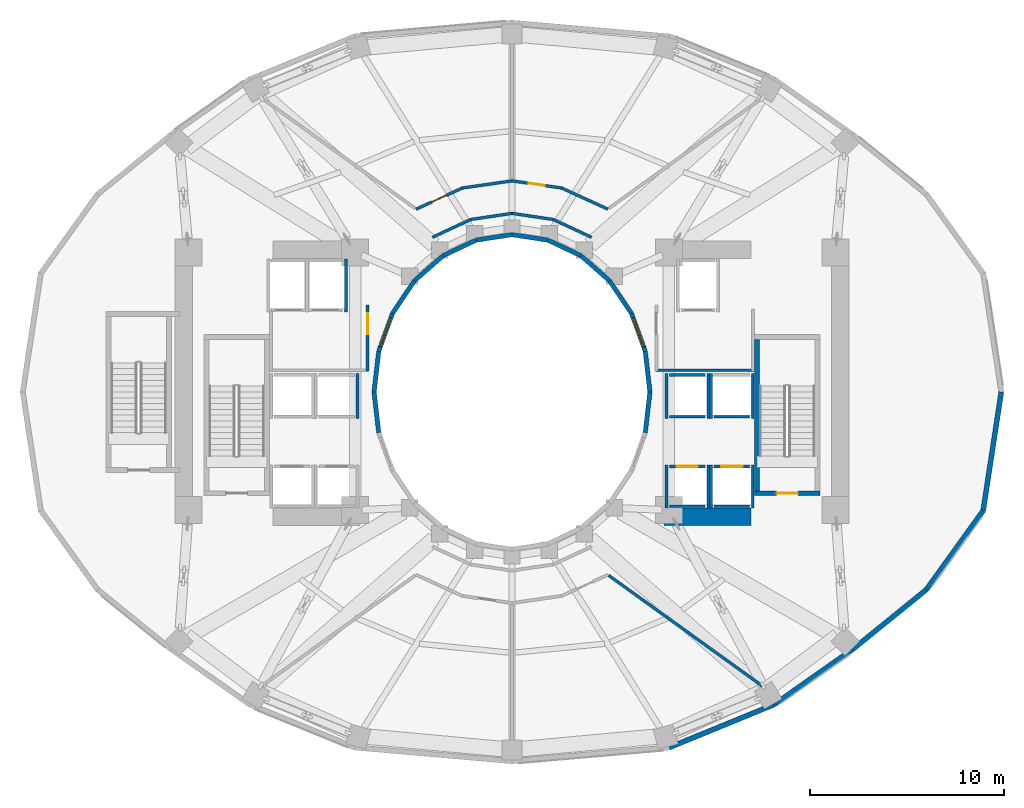
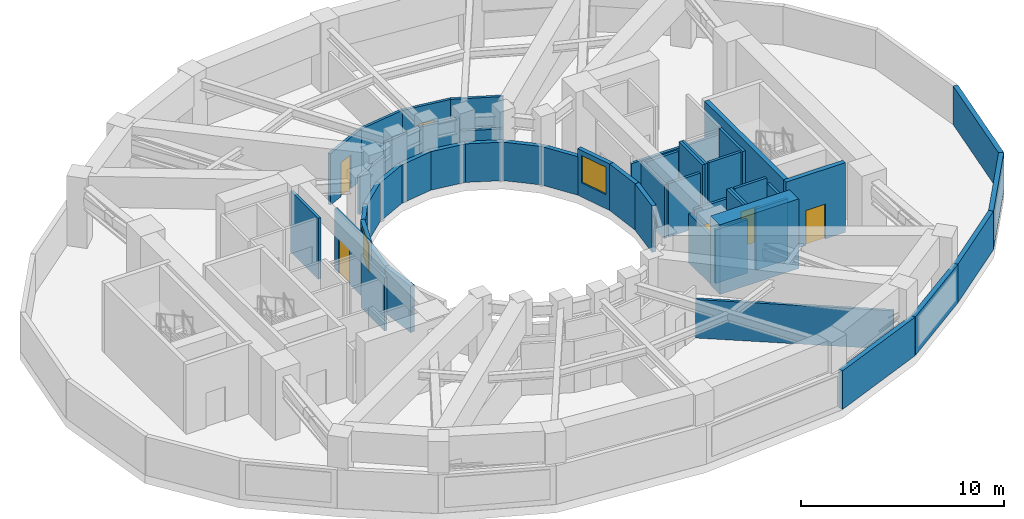
# One storey, part 5 of 10: 50 walls, 6 doors, 2 windows, 8 openings.
"""IFC4 building model written with IfcOpenShell, lengths in metres."""

from ifc_helpers import new_model, si_unit, direction, frame, frame_2d, origin, place, context, subcontext, project, spatial, rectangle, extrude, material, layer, layer_set, type_object, element, fill, save


model = new_model("IFC4")

# Units and contexts
model_context = context("Model", 3, precision=1e-05, world=origin(), true_north=direction((0.0, 1.0)))
body_context = subcontext(model_context, "Body", "Model", "MODEL_VIEW")
ifc_project = project(units=[si_unit("LENGTHUNIT", "METRE"), si_unit("AREAUNIT", "SQUARE_METRE"), si_unit("VOLUMEUNIT", "CUBIC_METRE"), si_unit("PLANEANGLEUNIT", "RADIAN"), si_unit("MASSUNIT", "GRAM", prefix="KILO")], contexts=[model_context])

# Site, building, storey
site_placement = place(None, origin())
site = spatial("IfcSite", under=ifc_project, at=site_placement, CompositionType="ELEMENT")
building_placement = place(site_placement, origin())
building = spatial("IfcBuilding", under=site, at=building_placement, Name="Solvane Sanctuary Tower", CompositionType="ELEMENT")
storey_placement = place(building_placement, frame((0.0, 0.0, 64.800048828125)))
storey = spatial("IfcBuildingStorey", under=building, at=storey_placement, Name="L19", CompositionType="ELEMENT", Elevation=64.800048828125)

# Wall
ifc_material_1 = material(Name="Concrete C70/85", Category="concrete")
ifc_layer_1 = layer(ifc_material_1, 0.89990234375, Name="Concrete C70/85")
ifc_layer_set_1 = layer_set([ifc_layer_1], Name="Concrete C70/85")
wall_type_1 = type_object("IfcWallType", Name="Wall W-CORE-900", PredefinedType="SHEAR", material=ifc_layer_set_1)
wall_1_placement = place(storey_placement, frame((39.85009765625, 16.550048828125, 0.0), z_axis=(0.0, 0.0, 1.0), x_axis=(1.0, 0.0, 0.0)))
element("IfcWall", 1, at=wall_1_placement, inside=storey, type_object=wall_type_1, Name="L19 Core Shear Wall EC-S", PredefinedType="SHEAR", context=body_context, shape_type="SweptSolid", body=[
    extrude(rectangle(XDim=4.5, YDim=0.89990234375, at=frame_2d((2.25, 0.0))), origin(), (0.0, 0.0, 1.0), 4.199951171875),
])

# Wall, opening, door
ifc_material_2 = material(Name="Acoustic Gypsum Partition Board")
ifc_layer_2 = layer(ifc_material_2, 0.14990234375, Name="Acoustic Gypsum Partition Board")
ifc_layer_set_2 = layer_set([ifc_layer_2], Name="Acoustic Gypsum Partition Board")
wall_type_2 = type_object("IfcWallType", Name="Wall W-CORR-150", PredefinedType="PARTITIONING", material=ifc_layer_set_2)
wall_2_placement = place(storey_placement, frame((24.550048828125, 24.080078125, 0.0), z_axis=(0.0, 0.0, 1.0), x_axis=(0.0, 1.0, 0.0)))
wall_2 = element("IfcWall", 2, at=wall_2_placement, inside=storey, type_object=wall_type_2, Name="L19 West Firefighting Lobby East Wall", PredefinedType="PARTITIONING", context=body_context, shape_type="SweptSolid", body=[
    extrude(rectangle(XDim=3.39990234375, YDim=0.14990234375, at=frame_2d((1.699951171875, 0.0))), origin(), (0.0, 0.0, 1.0), 3.675048828125),
])
opening_1_placement = place(wall_2_placement, frame((1.893798828125, 0.0, 0.0)))
opening_1 = element("IfcOpeningElement", 3, at=opening_1_placement, cuts=wall_2, Name="Opening D-L19-04", PredefinedType="OPENING", context=body_context, shape_type="SweptSolid", body=[
    extrude(rectangle(XDim=1.10009765625, YDim=2.10009765625, at=frame_2d((0.550048828125, 1.050048828125))), frame((0.0, 0.0849609375, 0.0), z_axis=(0.0, -1.0, 0.0), x_axis=(1.0, 0.0, 0.0)), (0.0, 0.0, 1.0), 0.169921875),
])
ifc_material_3 = material(Name="Architectural Stainless Steel 316", Category="steel")
door_type_1 = type_object("IfcDoorType", Name="Door D-FFL", OperationType="NOTDEFINED", PredefinedType="DOOR", material=ifc_material_3)
door_1_placement = place(opening_1_placement, origin())
door_1 = element("IfcDoor", 4, at=door_1_placement, inside=storey, type_object=door_type_1, Name="L19 West Firefighting Lobby Fire Door", OperationType="SINGLE_SWING_LEFT", OverallHeight=2.10009765625, OverallWidth=1.10009765625, PredefinedType="DOOR", context=body_context, shape_type="SweptSolid", body=[
    extrude(rectangle(XDim=1.10009765625, YDim=2.10009765625, at=frame_2d((0.550048828125, 1.050048828125))), frame((0.0, 0.02490234375, 0.0), z_axis=(0.0, -1.0, 0.0), x_axis=(1.0, 0.0, 0.0)), (0.0, 0.0, 1.0), 0.050048828125),
])
fill(opening_1, door_1)

# Walls
wall_3_placement = place(storey_placement, frame((39.39990234375, 24.1201171875, 0.0), z_axis=(0.0, 0.0, 1.0), x_axis=(1.0, 0.0, 0.0)))
element("IfcWall", 5, at=wall_3_placement, inside=storey, type_object=wall_type_2, Name="L19 East Firefighting Lobby South Wall", PredefinedType="PARTITIONING", context=body_context, shape_type="SweptSolid", body=[
    extrude(rectangle(XDim=5.080078125, YDim=0.14990234375, at=frame_2d((2.5400390625, 0.0))), origin(), (0.0, 0.0, 1.0), 3.219970703125),
])
wall_4_placement = place(storey_placement, frame((36.110107421875, 30.98486328125, 0.0), z_axis=(0.0, 0.0, 1.0), x_axis=(-0.906943449489, 0.421252393975, 0.0)))
element("IfcWall", 6, at=wall_4_placement, inside=storey, type_object=wall_type_2, Name="L19 Light-Well Corridor Rim Wall N1", PredefinedType="PARTITIONING", context=body_context, shape_type="SweptSolid", body=[
    extrude(rectangle(XDim=2.18603515625, YDim=0.14990234375, at=frame_2d((1.093017578125, 0.0))), origin(), (0.0, 0.0, 1.0), 2.320068359375),
])
for number, where, z_axis, x_axis, name in (
    (7, (34.12744140625, 31.90576171875, 0.0), (0.0, 0.0, 1.0), (-0.989268584896, 0.146108408166, 0.0), "L19 Light-Well Corridor Rim Wall N2"),
    (8, (32.0, 32.219970703125, 0.0), (0.0, 0.0, 1.0), (-0.989268584896, -0.146108408166, 0.0), "L19 Light-Well Corridor Rim Wall N3"),
):
    element("IfcWall", number, at=place(storey_placement, frame(where, z_axis=z_axis, x_axis=x_axis)), inside=storey, type_object=wall_type_2, Name=name, PredefinedType="PARTITIONING", context=body_context, shape_type="SweptSolid", body=[
        extrude(rectangle(XDim=2.150634765625, YDim=0.14990234375, at=frame_2d((1.0751953125, 0.0))), origin(), (0.0, 0.0, 1.0), 3.092041015625),
    ])
wall_5_placement = place(storey_placement, frame((29.87255859375, 31.90576171875, 0.0), z_axis=(0.0, 0.0, 1.0), x_axis=(-0.906943449489, -0.421252393975, 0.0)))
element("IfcWall", 9, at=wall_5_placement, inside=storey, type_object=wall_type_2, Name="L19 Light-Well Corridor Rim Wall N4", PredefinedType="PARTITIONING", context=body_context, shape_type="SweptSolid", body=[
    extrude(rectangle(XDim=2.18603515625, YDim=0.14990234375, at=frame_2d((1.093017578125, 0.0))), origin(), (0.0, 0.0, 1.0), 2.320068359375),
])
wall_6_placement = place(storey_placement, frame((36.99462890625, 13.5283203125, 0.0), z_axis=(0.0, 0.0, 1.0), x_axis=(0.811691742112, -0.584086051697, 0.0)))
element("IfcWall", 10, at=wall_6_placement, inside=storey, type_object=wall_type_2, Name="L19 Mechanical Plant Radial Wall 300", PredefinedType="PARTITIONING", context=body_context, shape_type="SweptSolid", body=[
    extrude(rectangle(XDim=9.824462890625, YDim=0.14990234375, at=frame_2d((4.912109375, 0.0))), origin(), (0.0, 0.0, 1.0), 2.320068359375),
])
wall_7_placement = place(storey_placement, frame((36.9560546875, 32.435791015625, 0.0), z_axis=(0.0, 0.0, 1.0), x_axis=(-0.909736731002, 0.415185597373, 0.0)))
element("IfcWall", 11, at=wall_7_placement, inside=storey, type_object=wall_type_2, Name="L19 Plant Corridor Wall 1", PredefinedType="PARTITIONING", context=body_context, shape_type="SweptSolid", body=[
    extrude(rectangle(XDim=2.63330078125, YDim=0.14990234375, at=frame_2d((1.316650390625, 0.0))), origin(), (0.0, 0.0, 1.0), 3.092041015625),
])

# Wall, opening, door
wall_8_placement = place(storey_placement, frame((34.56396484375, 33.528076171875, 0.0), z_axis=(0.0, 0.0, 1.0), x_axis=(-0.989701742337, 0.143144895876, 0.0)))
wall_8 = element("IfcWall", 12, at=wall_8_placement, inside=storey, type_object=wall_type_2, Name="L19 Plant Corridor Wall 1", PredefinedType="PARTITIONING", context=body_context, shape_type="SweptSolid", body=[
    extrude(rectangle(XDim=2.59765625, YDim=0.14990234375, at=frame_2d((1.298828125, 0.0))), origin(), (0.0, 0.0, 1.0), 3.092041015625),
])
opening_2_placement = place(wall_8_placement, frame((0.873779296875, 0.0, 0.0)))
opening_2 = element("IfcOpeningElement", 13, at=opening_2_placement, cuts=wall_8, Name="Opening D-L19-06", PredefinedType="OPENING", context=body_context, shape_type="SweptSolid", body=[
    extrude(rectangle(XDim=0.85009765625, YDim=2.050048828125, at=frame_2d((0.425048828125, 1.02490234375))), frame((0.0, 0.0849609375, 0.0), z_axis=(0.0, -1.0, 0.0), x_axis=(1.0, 0.0, 0.0)), (0.0, 0.0, 1.0), 0.169921875),
])
door_type_2 = type_object("IfcDoorType", Name="Door D-RISER", OperationType="NOTDEFINED", PredefinedType="DOOR", material=ifc_material_3)
door_2_placement = place(opening_2_placement, origin())
door_2 = element("IfcDoor", 14, at=door_2_placement, inside=storey, type_object=door_type_2, Name="L19 Plant Room Door 1", OperationType="SINGLE_SWING_LEFT", OverallHeight=2.050048828125, OverallWidth=0.85009765625, PredefinedType="DOOR", context=body_context, shape_type="SweptSolid", body=[
    extrude(rectangle(XDim=0.85009765625, YDim=2.050048828125, at=frame_2d((0.425048828125, 1.02490234375))), frame((0.0, 0.02490234375, 0.0), z_axis=(0.0, -1.0, 0.0), x_axis=(1.0, 0.0, 0.0)), (0.0, 0.0, 1.0), 0.050048828125),
])
fill(opening_2, door_2)

# Wall
wall_9_placement = place(storey_placement, frame((32.0068359375, 33.89990234375, 0.0), z_axis=(0.0, 0.0, 1.0), x_axis=(-0.989701742337, -0.143144895876, 0.0)))
element("IfcWall", 15, at=wall_9_placement, inside=storey, type_object=wall_type_2, Name="L19 Plant Corridor Wall 2", PredefinedType="PARTITIONING", context=body_context, shape_type="SweptSolid", body=[
    extrude(rectangle(XDim=2.59765625, YDim=0.14990234375, at=frame_2d((1.298828125, 0.0))), origin(), (0.0, 0.0, 1.0), 3.092041015625),
])

# Wall, opening, door
wall_10_placement = place(storey_placement, frame((29.439453125, 33.529052734375, 0.0), z_axis=(0.0, 0.0, 1.0), x_axis=(-0.909736731002, -0.415185597373, 0.0)))
wall_10 = element("IfcWall", 16, at=wall_10_placement, inside=storey, type_object=wall_type_2, Name="L19 Plant Corridor Wall 2", PredefinedType="PARTITIONING", context=body_context, shape_type="SweptSolid", body=[
    extrude(rectangle(XDim=2.63330078125, YDim=0.14990234375, at=frame_2d((1.316650390625, 0.0))), origin(), (0.0, 0.0, 1.0), 3.092041015625),
])
opening_3_placement = place(wall_10_placement, frame((0.8916015625, 0.0, 0.0)))
opening_3 = element("IfcOpeningElement", 17, at=opening_3_placement, cuts=wall_10, Name="Opening D-L19-07", PredefinedType="OPENING", context=body_context, shape_type="SweptSolid", body=[
    extrude(rectangle(XDim=0.85009765625, YDim=2.050048828125, at=frame_2d((0.425048828125, 1.02490234375))), frame((0.0, 0.0849609375, 0.0), z_axis=(0.0, -1.0, 0.0), x_axis=(1.0, 0.0, 0.0)), (0.0, 0.0, 1.0), 0.169921875),
])
door_3_placement = place(opening_3_placement, origin())
door_3 = element("IfcDoor", 18, at=door_3_placement, inside=storey, type_object=door_type_2, Name="L19 Plant Room Door 2", OperationType="SINGLE_SWING_RIGHT", OverallHeight=2.050048828125, OverallWidth=0.85009765625, PredefinedType="DOOR", context=body_context, shape_type="SweptSolid", body=[
    extrude(rectangle(XDim=0.85009765625, YDim=2.050048828125, at=frame_2d((0.425048828125, 1.02490234375))), frame((0.0, 0.02490234375, 0.0), z_axis=(0.0, -1.0, 0.0), x_axis=(1.0, 0.0, 0.0)), (0.0, 0.0, 1.0), 0.050048828125),
])
fill(opening_3, door_3)

# Walls
ifc_material_4 = material(Name="Precast concrete C40/50", Category="concrete")
ifc_layer_3 = layer(ifc_material_4, 0.260009765625, Name="Precast concrete C40/50")
ifc_layer_set_3 = layer_set([ifc_layer_3], Name="Precast concrete C40/50")
wall_type_3 = type_object("IfcWallType", Name="Wall W-EXT-250", PredefinedType="STANDARD", material=ifc_layer_set_3)
wall_11_placement = place(storey_placement, frame((40.117919921875, 4.644775390625, 0.0), z_axis=(0.0, 0.0, 1.0), x_axis=(0.925415283069, 0.378954553822, 0.0)))
element("IfcWall", 19, at=wall_11_placement, inside=storey, type_object=wall_type_3, Name="L19 Mechanical Plant Perimeter Wall 19", PredefinedType="STANDARD", context=body_context, shape_type="SweptSolid", body=[
    extrude(rectangle(XDim=5.850341796875, YDim=0.260009765625, at=frame_2d((2.92529296875, 0.0))), origin(), (0.0, 0.0, 1.0), 2.320068359375),
])
wall_12_placement = place(storey_placement, frame((45.531982421875, 6.86181640625, 0.0), z_axis=(0.0, 0.0, 1.0), x_axis=(0.818106773799, 0.575066349792, 0.0)))
element("IfcWall", 20, at=wall_12_placement, inside=storey, type_object=wall_type_3, Name="L19 Mechanical Plant Perimeter Wall 20", PredefinedType="STANDARD", context=body_context, shape_type="SweptSolid", body=[
    extrude(rectangle(XDim=4.971435546875, YDim=0.260009765625, at=frame_2d((2.48583984375, 0.0))), origin(), (0.0, 0.0, 1.0), 2.320068359375),
])
wall_13_placement = place(storey_placement, frame((49.59912109375, 9.720703125, 0.0), z_axis=(0.0, 0.0, 1.0), x_axis=(0.777097920144, 0.6293797125, 0.0)))
element("IfcWall", 21, at=wall_13_placement, inside=storey, type_object=wall_type_3, Name="L19 Mechanical Plant Perimeter Wall 21", PredefinedType="STANDARD", context=body_context, shape_type="SweptSolid", body=[
    extrude(rectangle(XDim=4.87548828125, YDim=0.260009765625, at=frame_2d((2.437744140625, 0.0))), origin(), (0.0, 0.0, 1.0), 2.320068359375),
])
wall_14_placement = place(storey_placement, frame((53.387939453125, 12.789306640625, 0.0), z_axis=(0.0, 0.0, 1.0), x_axis=(0.58386496218, 0.81185079044, 0.0)))
element("IfcWall", 22, at=wall_14_placement, inside=storey, type_object=wall_type_3, Name="L19 Mechanical Plant Perimeter Wall 22", PredefinedType="STANDARD", context=body_context, shape_type="SweptSolid", body=[
    extrude(rectangle(XDim=5.031982421875, YDim=0.260009765625, at=frame_2d((2.51611328125, 0.0))), origin(), (0.0, 0.0, 1.0), 2.320068359375),
])
wall_15_placement = place(storey_placement, frame((56.325927734375, 16.87451171875, 0.0), z_axis=(0.0, 0.0, 1.0), x_axis=(0.150748389741, 0.988572163775, 0.0)))
element("IfcWall", 23, at=wall_15_placement, inside=storey, type_object=wall_type_3, Name="L19 Mechanical Plant Perimeter Wall 23", PredefinedType="STANDARD", context=body_context, shape_type="SweptSolid", body=[
    extrude(rectangle(XDim=6.1962890625, YDim=0.260009765625, at=frame_2d((3.09814453125, 0.0))), origin(), (0.0, 0.0, 1.0), 2.320068359375),
])
ifc_layer_4 = layer(ifc_material_4, 0.22998046875, Name="Precast concrete C40/50")
ifc_layer_set_4 = layer_set([ifc_layer_4], Name="Precast concrete C40/50")
wall_type_4 = type_object("IfcWallType", Name="Wall W-EXT-SP220", PredefinedType="STANDARD", material=ifc_layer_set_4)
wall_16_placement = place(storey_placement, frame((39.1201171875, 23.0, 0.0), z_axis=(0.0, 0.0, 1.0), x_axis=(-0.114711713601, 0.993398823617, 0.0)))
element("IfcWall", 24, at=wall_16_placement, inside=storey, type_object=wall_type_4, Name="L19 Central Light-Well Wall 00", PredefinedType="STANDARD", context=body_context, shape_type="SweptSolid", body=[
    extrude(rectangle(XDim=2.115478515625, YDim=0.22998046875, at=frame_2d((1.0576171875, 0.0))), origin(), (0.0, 0.0, 1.0), 2.800048828125),
])

# Wall, opening, window
wall_17_placement = place(storey_placement, frame((38.87744140625, 25.1015625, 0.0), z_axis=(0.0, 0.0, 1.0), x_axis=(-0.341423187295, 0.93990968033, 0.0)))
wall_17 = element("IfcWall", 25, at=wall_17_placement, inside=storey, type_object=wall_type_4, Name="L19 Central Light-Well Wall 01", PredefinedType="STANDARD", context=body_context, shape_type="SweptSolid", body=[
    extrude(rectangle(XDim=2.083740234375, YDim=0.22998046875, at=frame_2d((1.0419921875, 0.0))), origin(), (0.0, 0.0, 1.0), 2.800048828125),
])
opening_4_placement = place(wall_17_placement, frame((0.24169921875, 0.0, 0.85009765625)))
opening_4 = element("IfcOpeningElement", 26, at=opening_4_placement, cuts=wall_17, Name="Opening WN-WELL-1600", PredefinedType="OPENING", context=body_context, shape_type="SweptSolid", body=[
    extrude(rectangle(XDim=1.60009765625, YDim=1.64990234375, at=frame_2d((0.800048828125, 0.824951171875))), frame((0.0, 0.125, 0.0), z_axis=(0.0, -1.0, 0.0), x_axis=(1.0, 0.0, 0.0)), (0.0, 0.0, 1.0), 0.25),
])
ifc_material_5 = material(Name="Clear Laminated Light-Well Glass", Category="glass")
window_type = type_object("IfcWindowType", Name="Window WN-WELL-1600", PartitioningType="SINGLE_PANEL", PredefinedType="WINDOW", material=ifc_material_5)
window_1_placement = place(opening_4_placement, origin())
window_1 = element("IfcWindow", 27, at=window_1_placement, inside=storey, type_object=window_type, Name="L19 Light-Well Daylight Window 01", OverallHeight=1.64990234375, OverallWidth=1.60009765625, PartitioningType="SINGLE_PANEL", PredefinedType="WINDOW", context=body_context, shape_type="SweptSolid", body=[
    extrude(rectangle(XDim=1.60009765625, YDim=1.64990234375, at=frame_2d((0.800048828125, 0.824951171875))), frame((0.0, 0.030029296875, 0.0), z_axis=(0.0, -1.0, 0.0), x_axis=(1.0, 0.0, 0.0)), (0.0, 0.0, 1.0), 0.06005859375),
])
fill(opening_4, window_1)

# Walls
wall_18_placement = place(storey_placement, frame((38.166015625, 27.06005859375, 0.0), z_axis=(0.0, 0.0, 1.0), x_axis=(-0.558197800898, 0.829707909492, 0.0)))
element("IfcWall", 28, at=wall_18_placement, inside=storey, type_object=wall_type_4, Name="L19 Central Light-Well Wall 02", PredefinedType="STANDARD", context=body_context, shape_type="SweptSolid", body=[
    extrude(rectangle(XDim=2.02685546875, YDim=0.22998046875, at=frame_2d((1.013427734375, 0.0))), origin(), (0.0, 0.0, 1.0), 2.320068359375),
])
wall_19_placement = place(storey_placement, frame((37.03466796875, 28.74169921875, 0.0), z_axis=(0.0, 0.0, 1.0), x_axis=(-0.752576694707, 0.658504607869, 0.0)))
element("IfcWall", 29, at=wall_19_placement, inside=storey, type_object=wall_type_4, Name="L19 Central Light-Well Wall 03", PredefinedType="STANDARD", context=body_context, shape_type="SweptSolid", body=[
    extrude(rectangle(XDim=1.95947265625, YDim=0.22998046875, at=frame_2d((0.979736328125, 0.0))), origin(), (0.0, 0.0, 1.0), 2.320068359375),
])
wall_20_placement = place(storey_placement, frame((35.56005859375, 30.031982421875, 0.0), z_axis=(0.0, 0.0, 1.0), x_axis=(-0.904179699603, 0.427152280606, 0.0)))
element("IfcWall", 30, at=wall_20_placement, inside=storey, type_object=wall_type_4, Name="L19 Central Light-Well Wall 04", PredefinedType="STANDARD", context=body_context, shape_type="SweptSolid", body=[
    extrude(rectangle(XDim=1.899169921875, YDim=0.22998046875, at=frame_2d((0.94970703125, 0.0))), origin(), (0.0, 0.0, 1.0), 2.320068359375),
])
for number, where, z_axis, x_axis, name in (
    (31, (33.8427734375, 30.84326171875, 0.0), (0.0, 0.0, 1.0), (-0.988901730308, 0.148571086668, 0.0), "L19 Central Light-Well Wall 05"),
    (32, (32.0, 31.1201171875, 0.0), (0.0, 0.0, 1.0), (-0.988901730308, -0.148571086668, 0.0), "L19 Central Light-Well Wall 06"),
):
    element("IfcWall", number, at=place(storey_placement, frame(where, z_axis=z_axis, x_axis=x_axis)), inside=storey, type_object=wall_type_4, Name=name, PredefinedType="STANDARD", context=body_context, shape_type="SweptSolid", body=[
        extrude(rectangle(XDim=1.863525390625, YDim=0.22998046875, at=frame_2d((0.931640625, 0.0))), origin(), (0.0, 0.0, 1.0), 2.320068359375),
    ])
wall_21_placement = place(storey_placement, frame((30.1572265625, 30.84326171875, 0.0), z_axis=(0.0, 0.0, 1.0), x_axis=(-0.904179699603, -0.427152280606, 0.0)))
element("IfcWall", 33, at=wall_21_placement, inside=storey, type_object=wall_type_4, Name="L19 Central Light-Well Wall 07", PredefinedType="STANDARD", context=body_context, shape_type="SweptSolid", body=[
    extrude(rectangle(XDim=1.899169921875, YDim=0.22998046875, at=frame_2d((0.94970703125, 0.0))), origin(), (0.0, 0.0, 1.0), 2.320068359375),
])
wall_22_placement = place(storey_placement, frame((28.43994140625, 30.031982421875, 0.0), z_axis=(0.0, 0.0, 1.0), x_axis=(-0.752576694707, -0.658504607869, 0.0)))
element("IfcWall", 34, at=wall_22_placement, inside=storey, type_object=wall_type_4, Name="L19 Central Light-Well Wall 08", PredefinedType="STANDARD", context=body_context, shape_type="SweptSolid", body=[
    extrude(rectangle(XDim=1.95947265625, YDim=0.22998046875, at=frame_2d((0.979736328125, 0.0))), origin(), (0.0, 0.0, 1.0), 2.320068359375),
])
wall_23_placement = place(storey_placement, frame((26.96533203125, 28.74169921875, 0.0), z_axis=(0.0, 0.0, 1.0), x_axis=(-0.558197800898, -0.829707909492, 0.0)))
element("IfcWall", 35, at=wall_23_placement, inside=storey, type_object=wall_type_4, Name="L19 Central Light-Well Wall 09", PredefinedType="STANDARD", context=body_context, shape_type="SweptSolid", body=[
    extrude(rectangle(XDim=2.02685546875, YDim=0.22998046875, at=frame_2d((1.013427734375, 0.0))), origin(), (0.0, 0.0, 1.0), 2.320068359375),
])

# Wall, opening, window
wall_24_placement = place(storey_placement, frame((25.833984375, 27.06005859375, 0.0), z_axis=(0.0, 0.0, 1.0), x_axis=(-0.341423187295, -0.93990968033, 0.0)))
wall_24 = element("IfcWall", 36, at=wall_24_placement, inside=storey, type_object=wall_type_4, Name="L19 Central Light-Well Wall 10", PredefinedType="STANDARD", context=body_context, shape_type="SweptSolid", body=[
    extrude(rectangle(XDim=2.083740234375, YDim=0.22998046875, at=frame_2d((1.0419921875, 0.0))), origin(), (0.0, 0.0, 1.0), 2.800048828125),
])
opening_5_placement = place(wall_24_placement, frame((0.24169921875, 0.0, 0.85009765625)))
opening_5 = element("IfcOpeningElement", 37, at=opening_5_placement, cuts=wall_24, Name="Opening WN-WELL-1600", PredefinedType="OPENING", context=body_context, shape_type="SweptSolid", body=[
    extrude(rectangle(XDim=1.60009765625, YDim=1.64990234375, at=frame_2d((0.800048828125, 0.824951171875))), frame((0.0, 0.125, 0.0), z_axis=(0.0, -1.0, 0.0), x_axis=(1.0, 0.0, 0.0)), (0.0, 0.0, 1.0), 0.25),
])
window_2_placement = place(opening_5_placement, origin())
window_2 = element("IfcWindow", 38, at=window_2_placement, inside=storey, type_object=window_type, Name="L19 Light-Well Daylight Window 10", OverallHeight=1.64990234375, OverallWidth=1.60009765625, PartitioningType="SINGLE_PANEL", PredefinedType="WINDOW", context=body_context, shape_type="SweptSolid", body=[
    extrude(rectangle(XDim=1.60009765625, YDim=1.64990234375, at=frame_2d((0.800048828125, 0.824951171875))), frame((0.0, 0.030029296875, 0.0), z_axis=(0.0, -1.0, 0.0), x_axis=(1.0, 0.0, 0.0)), (0.0, 0.0, 1.0), 0.06005859375),
])
fill(opening_5, window_2)

# Walls
for number, where, z_axis, x_axis, name in (
    (39, (25.12255859375, 25.1015625, 0.0), (0.0, 0.0, 1.0), (-0.114711713601, -0.993398823617, 0.0), "L19 Central Light-Well Wall 11"),
    (40, (24.8798828125, 23.0, 0.0), (0.0, 0.0, 1.0), (0.114711713601, -0.993398823617, 0.0), "L19 Central Light-Well Wall 12"),
    (41, (38.87744140625, 20.8984375, 0.0), (0.0, 0.0, 1.0), (0.114711713601, 0.993398823617, 0.0), "L19 Central Light-Well Wall 23"),
):
    element("IfcWall", number, at=place(storey_placement, frame(where, z_axis=z_axis, x_axis=x_axis)), inside=storey, type_object=wall_type_4, Name=name, PredefinedType="STANDARD", context=body_context, shape_type="SweptSolid", body=[
        extrude(rectangle(XDim=2.115478515625, YDim=0.22998046875, at=frame_2d((1.0576171875, 0.0))), origin(), (0.0, 0.0, 1.0), 2.800048828125),
    ])

# Wall, opening, door
ifc_material_6 = material(Name="Concrete C50/60", Category="concrete")
ifc_layer_5 = layer(ifc_material_6, 0.14990234375, Name="Concrete C50/60")
ifc_layer_set_5 = layer_set([ifc_layer_5], Name="Concrete C50/60")
wall_type_5 = type_object("IfcWallType", Name="Wall W-SHAFT-150", PredefinedType="SOLIDWALL", material=ifc_layer_set_5)
wall_25_placement = place(storey_placement, frame((40.139892578125, 19.159912109375, 0.0), z_axis=(0.0, 0.0, 1.0), x_axis=(1.0, 0.0, 0.0)))
wall_25 = element("IfcWall", 42, at=wall_25_placement, inside=storey, type_object=wall_type_5, Name="L19 PL-3 Lift Shaft Wall F", PredefinedType="SOLIDWALL", context=body_context, shape_type="SweptSolid", body=[
    extrude(rectangle(XDim=1.820068359375, YDim=0.14990234375, at=frame_2d((0.91015625, 0.0))), origin(), (0.0, 0.0, 1.0), 3.219970703125),
])
opening_6_placement = place(wall_25_placement, frame((0.360107421875, 0.0, 0.0)))
opening_6 = element("IfcOpeningElement", 43, at=opening_6_placement, cuts=wall_25, Name="Opening LD-L19-03", PredefinedType="OPENING", context=body_context, shape_type="SweptSolid", body=[
    extrude(rectangle(XDim=1.10009765625, YDim=2.10009765625, at=frame_2d((0.550048828125, 1.050048828125))), frame((0.0, 0.0849609375, 0.0), z_axis=(0.0, -1.0, 0.0), x_axis=(1.0, 0.0, 0.0)), (0.0, 0.0, 1.0), 0.169921875),
])
door_type_3 = type_object("IfcDoorType", Name="Door LD-PASS-1100", OperationType="NOTDEFINED", PredefinedType="DOOR", material=ifc_material_3)
door_4_placement = place(opening_6_placement, origin())
door_4 = element("IfcDoor", 44, at=door_4_placement, inside=storey, type_object=door_type_3, Name="L19 PL-3 Lift Landing Door", OperationType="DOUBLE_DOOR_SLIDING", OverallHeight=2.10009765625, OverallWidth=1.10009765625, PredefinedType="DOOR", context=body_context, shape_type="SweptSolid", body=[
    extrude(rectangle(XDim=1.10009765625, YDim=2.10009765625, at=frame_2d((0.550048828125, 1.050048828125))), frame((0.0, 0.02490234375, 0.0), z_axis=(0.0, -1.0, 0.0), x_axis=(1.0, 0.0, 0.0)), (0.0, 0.0, 1.0), 0.050048828125),
])
fill(opening_6, door_4)

# Walls
wall_26_placement = place(storey_placement, frame((40.139892578125, 17.10009765625, 0.0), z_axis=(0.0, 0.0, 1.0), x_axis=(1.0, 0.0, 0.0)))
element("IfcWall", 45, at=wall_26_placement, inside=storey, type_object=wall_type_5, Name="L19 PL-3 Lift Shaft Wall B", PredefinedType="SOLIDWALL", context=body_context, shape_type="SweptSolid", body=[
    extrude(rectangle(XDim=1.820068359375, YDim=0.14990234375, at=frame_2d((0.91015625, 0.0))), origin(), (0.0, 0.0, 1.0), 3.219970703125),
])
wall_27_placement = place(storey_placement, frame((39.969970703125, 17.02001953125, 0.0), z_axis=(0.0, 0.0, 1.0), x_axis=(0.0, 1.0, 0.0)))
element("IfcWall", 46, at=wall_27_placement, inside=storey, type_object=wall_type_5, Name="L19 PL-3 Lift Shaft Wall S1", PredefinedType="SOLIDWALL", context=body_context, shape_type="SweptSolid", body=[
    extrude(rectangle(XDim=2.219970703125, YDim=0.14990234375, at=frame_2d((1.10986328125, 0.0))), origin(), (0.0, 0.0, 1.0), 2.972900390625),
])
wall_28_placement = place(storey_placement, frame((42.1298828125, 17.02001953125, 0.0), z_axis=(0.0, 0.0, 1.0), x_axis=(0.0, 1.0, 0.0)))
element("IfcWall", 47, at=wall_28_placement, inside=storey, type_object=wall_type_5, Name="L19 PL-3 Lift Shaft Wall S2", PredefinedType="SOLIDWALL", context=body_context, shape_type="SweptSolid", body=[
    extrude(rectangle(XDim=2.219970703125, YDim=0.14990234375, at=frame_2d((1.10986328125, 0.0))), origin(), (0.0, 0.0, 1.0), 3.675048828125),
])

# Wall, opening, door
wall_29_placement = place(storey_placement, frame((42.43994140625, 19.159912109375, 0.0), z_axis=(0.0, 0.0, 1.0), x_axis=(1.0, 0.0, 0.0)))
wall_29 = element("IfcWall", 48, at=wall_29_placement, inside=storey, type_object=wall_type_5, Name="L19 PL-4 Lift Shaft Wall F", PredefinedType="SOLIDWALL", context=body_context, shape_type="SweptSolid", body=[
    extrude(rectangle(XDim=1.820068359375, YDim=0.14990234375, at=frame_2d((0.91015625, 0.0))), origin(), (0.0, 0.0, 1.0), 3.675048828125),
])
opening_7_placement = place(wall_29_placement, frame((0.360107421875, 0.0, 0.0)))
opening_7 = element("IfcOpeningElement", 49, at=opening_7_placement, cuts=wall_29, Name="Opening LD-L19-04", PredefinedType="OPENING", context=body_context, shape_type="SweptSolid", body=[
    extrude(rectangle(XDim=1.10009765625, YDim=2.10009765625, at=frame_2d((0.550048828125, 1.050048828125))), frame((0.0, 0.0849609375, 0.0), z_axis=(0.0, -1.0, 0.0), x_axis=(1.0, 0.0, 0.0)), (0.0, 0.0, 1.0), 0.169921875),
])
door_5_placement = place(opening_7_placement, origin())
door_5 = element("IfcDoor", 50, at=door_5_placement, inside=storey, type_object=door_type_3, Name="L19 PL-4 Lift Landing Door", OperationType="DOUBLE_DOOR_SLIDING", OverallHeight=2.10009765625, OverallWidth=1.10009765625, PredefinedType="DOOR", context=body_context, shape_type="SweptSolid", body=[
    extrude(rectangle(XDim=1.10009765625, YDim=2.10009765625, at=frame_2d((0.550048828125, 1.050048828125))), frame((0.0, 0.02490234375, 0.0), z_axis=(0.0, -1.0, 0.0), x_axis=(1.0, 0.0, 0.0)), (0.0, 0.0, 1.0), 0.050048828125),
])
fill(opening_7, door_5)

# Walls
wall_30_placement = place(storey_placement, frame((42.43994140625, 17.10009765625, 0.0), z_axis=(0.0, 0.0, 1.0), x_axis=(1.0, 0.0, 0.0)))
element("IfcWall", 51, at=wall_30_placement, inside=storey, type_object=wall_type_5, Name="L19 PL-4 Lift Shaft Wall B", PredefinedType="SOLIDWALL", context=body_context, shape_type="SweptSolid", body=[
    extrude(rectangle(XDim=1.820068359375, YDim=0.14990234375, at=frame_2d((0.91015625, 0.0))), origin(), (0.0, 0.0, 1.0), 3.675048828125),
])
wall_31_placement = place(storey_placement, frame((42.27001953125, 17.02001953125, 0.0), z_axis=(0.0, 0.0, 1.0), x_axis=(0.0, 1.0, 0.0)))
element("IfcWall", 52, at=wall_31_placement, inside=storey, type_object=wall_type_5, Name="L19 PL-4 Lift Shaft Wall S1", PredefinedType="SOLIDWALL", context=body_context, shape_type="SweptSolid", body=[
    extrude(rectangle(XDim=2.219970703125, YDim=0.14990234375, at=frame_2d((1.10986328125, 0.0))), origin(), (0.0, 0.0, 1.0), 3.675048828125),
])
wall_32_placement = place(storey_placement, frame((44.429931640625, 17.02001953125, 0.0), z_axis=(0.0, 0.0, 1.0), x_axis=(0.0, 1.0, 0.0)))
element("IfcWall", 53, at=wall_32_placement, inside=storey, type_object=wall_type_5, Name="L19 PL-4 Lift Shaft Wall S2", PredefinedType="SOLIDWALL", context=body_context, shape_type="SweptSolid", body=[
    extrude(rectangle(XDim=2.219970703125, YDim=0.14990234375, at=frame_2d((1.10986328125, 0.0))), origin(), (0.0, 0.0, 1.0), 3.219970703125),
])
wall_33_placement = place(storey_placement, frame((42.43994140625, 21.719970703125, 0.0), z_axis=(0.0, 0.0, 1.0), x_axis=(1.0, 0.0, 0.0)))
element("IfcWall", 54, at=wall_33_placement, inside=storey, type_object=wall_type_5, Name="L19 PM-2 Lift Shaft Wall F", PredefinedType="SOLIDWALL", context=body_context, shape_type="SweptSolid", body=[
    extrude(rectangle(XDim=1.820068359375, YDim=0.14990234375, at=frame_2d((0.91015625, 0.0))), origin(), (0.0, 0.0, 1.0), 3.675048828125),
])
for number, where, z_axis, x_axis, name in (
    (55, (42.27001953125, 21.639892578125, 0.0), (0.0, 0.0, 1.0), (0.0, 1.0, 0.0), "L19 PM-2 Lift Shaft Wall S1"),
    (56, (44.429931640625, 21.639892578125, 0.0), (0.0, 0.0, 1.0), (0.0, 1.0, 0.0), "L19 PM-2 Lift Shaft Wall S2"),
):
    element("IfcWall", number, at=place(storey_placement, frame(where, z_axis=z_axis, x_axis=x_axis)), inside=storey, type_object=wall_type_5, Name=name, PredefinedType="SOLIDWALL", context=body_context, shape_type="SweptSolid", body=[
        extrude(rectangle(XDim=2.320068359375, YDim=0.14990234375, at=frame_2d((1.16015625, 0.0))), origin(), (0.0, 0.0, 1.0), 3.675048828125),
    ])
wall_34_placement = place(storey_placement, frame((24.030029296875, 21.639892578125, 0.0), z_axis=(0.0, 0.0, 1.0), x_axis=(0.0, 1.0, 0.0)))
element("IfcWall", 57, at=wall_34_placement, inside=storey, type_object=wall_type_5, Name="L19 PH-1 Lift Shaft Wall S2", PredefinedType="SOLIDWALL", context=body_context, shape_type="SweptSolid", body=[
    extrude(rectangle(XDim=2.320068359375, YDim=0.14990234375, at=frame_2d((1.16015625, 0.0))), origin(), (0.0, 0.0, 1.0), 3.219970703125),
])
for number, where, z_axis, x_axis, name in (
    (58, (40.139892578125, 21.719970703125, 0.0), (0.0, 0.0, 1.0), (1.0, 0.0, 0.0), "L19 PH-2 Lift Shaft Wall F"),
    (59, (40.139892578125, 23.8798828125, 0.0), (0.0, 0.0, 1.0), (1.0, 0.0, 0.0), "L19 PH-2 Lift Shaft Wall B"),
):
    element("IfcWall", number, at=place(storey_placement, frame(where, z_axis=z_axis, x_axis=x_axis)), inside=storey, type_object=wall_type_5, Name=name, PredefinedType="SOLIDWALL", context=body_context, shape_type="SweptSolid", body=[
        extrude(rectangle(XDim=1.820068359375, YDim=0.14990234375, at=frame_2d((0.91015625, 0.0))), origin(), (0.0, 0.0, 1.0), 3.219970703125),
    ])
wall_35_placement = place(storey_placement, frame((39.969970703125, 21.639892578125, 0.0), z_axis=(0.0, 0.0, 1.0), x_axis=(0.0, 1.0, 0.0)))
element("IfcWall", 60, at=wall_35_placement, inside=storey, type_object=wall_type_5, Name="L19 PH-2 Lift Shaft Wall S1", PredefinedType="SOLIDWALL", context=body_context, shape_type="SweptSolid", body=[
    extrude(rectangle(XDim=2.320068359375, YDim=0.14990234375, at=frame_2d((1.16015625, 0.0))), origin(), (0.0, 0.0, 1.0), 3.219970703125),
])
wall_36_placement = place(storey_placement, frame((42.1298828125, 21.639892578125, 0.0), z_axis=(0.0, 0.0, 1.0), x_axis=(0.0, 1.0, 0.0)))
element("IfcWall", 61, at=wall_36_placement, inside=storey, type_object=wall_type_5, Name="L19 PH-2 Lift Shaft Wall S2", PredefinedType="SOLIDWALL", context=body_context, shape_type="SweptSolid", body=[
    extrude(rectangle(XDim=2.320068359375, YDim=0.14990234375, at=frame_2d((1.16015625, 0.0))), origin(), (0.0, 0.0, 1.0), 3.675048828125),
])
wall_37_placement = place(storey_placement, frame((23.429931640625, 27.139892578125, 0.0), z_axis=(0.0, 0.0, 1.0), x_axis=(0.0, 1.0, 0.0)))
element("IfcWall", 62, at=wall_37_placement, inside=storey, type_object=wall_type_5, Name="L19 SVL-1 Lift Shaft Wall S2", PredefinedType="SOLIDWALL", context=body_context, shape_type="SweptSolid", body=[
    extrude(rectangle(XDim=2.72021484375, YDim=0.14990234375, at=frame_2d((1.360107421875, 0.0))), origin(), (0.0, 0.0, 1.0), 3.675048828125),
])

# Wall, opening, door
ifc_layer_6 = layer(ifc_material_6, 0.25, Name="Concrete C50/60")
ifc_layer_set_6 = layer_set([ifc_layer_6], Name="Concrete C50/60")
wall_type_6 = type_object("IfcWallType", Name="Wall W-SHAFT-250", PredefinedType="SOLIDWALL", material=ifc_layer_set_6)
wall_38_placement = place(storey_placement, frame((44.52490234375, 17.77001953125, 0.0), z_axis=(0.0, 0.0, 1.0), x_axis=(1.0, 0.0, 0.0)))
wall_38 = element("IfcWall", 63, at=wall_38_placement, inside=storey, type_object=wall_type_6, Name="L19 ST-2 Load-Bearing Shaft Wall S", PredefinedType="SOLIDWALL", context=body_context, shape_type="SweptSolid", body=[
    extrude(rectangle(XDim=3.3701171875, YDim=0.25, at=frame_2d((1.68505859375, 0.0))), origin(), (0.0, 0.0, 1.0), 4.199951171875),
])
opening_8_placement = place(wall_38_placement, frame((1.135009765625, 0.0, 0.0)))
opening_8 = element("IfcOpeningElement", 64, at=opening_8_placement, cuts=wall_38, Name="Opening D-L19-02", PredefinedType="OPENING", context=body_context, shape_type="SweptSolid", body=[
    extrude(rectangle(XDim=1.10009765625, YDim=2.10009765625, at=frame_2d((0.550048828125, 1.050048828125))), frame((0.0, 0.135009765625, 0.0), z_axis=(0.0, -1.0, 0.0), x_axis=(1.0, 0.0, 0.0)), (0.0, 0.0, 1.0), 0.27001953125),
])
door_type_4 = type_object("IfcDoorType", Name="Door D-STAIR", OperationType="NOTDEFINED", PredefinedType="DOOR", material=ifc_material_3)
door_6_placement = place(opening_8_placement, origin())
door_6 = element("IfcDoor", 65, at=door_6_placement, inside=storey, type_object=door_type_4, Name="L19 ST-2 Exit Stair Fire Door", OperationType="SINGLE_SWING_RIGHT", OverallHeight=2.10009765625, OverallWidth=1.10009765625, PredefinedType="DOOR", context=body_context, shape_type="SweptSolid", body=[
    extrude(rectangle(XDim=1.10009765625, YDim=2.10009765625, at=frame_2d((0.550048828125, 1.050048828125))), frame((0.0, 0.02490234375, 0.0), z_axis=(0.0, -1.0, 0.0), x_axis=(1.0, 0.0, 0.0)), (0.0, 0.0, 1.0), 0.050048828125),
])
fill(opening_8, door_6)

# Wall
wall_39_placement = place(storey_placement, frame((44.64990234375, 17.89501953125, 0.0), z_axis=(0.0, 0.0, 1.0), x_axis=(0.0, 1.0, 0.0)))
element("IfcWall", 66, at=wall_39_placement, inside=storey, type_object=wall_type_6, Name="L19 ST-2 Load-Bearing Shaft Wall W", PredefinedType="SOLIDWALL", context=body_context, shape_type="SweptSolid", body=[
    extrude(rectangle(XDim=7.81005859375, YDim=0.25, at=frame_2d((3.905029296875, 0.0))), origin(), (0.0, 0.0, 1.0), 4.199951171875),
])

save(model, "model.ifc")
